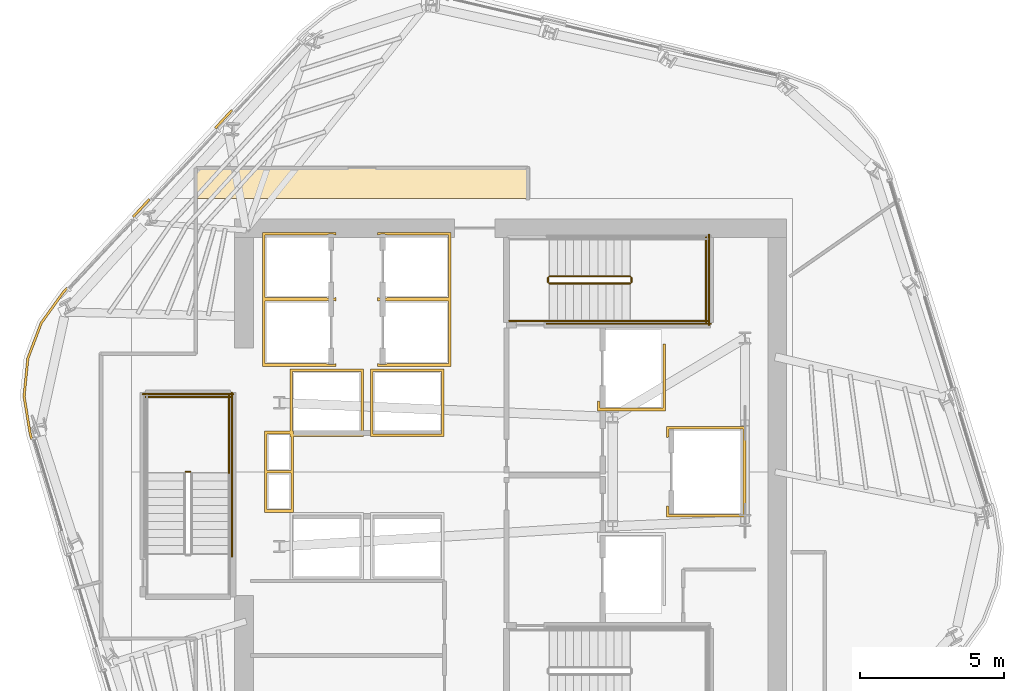
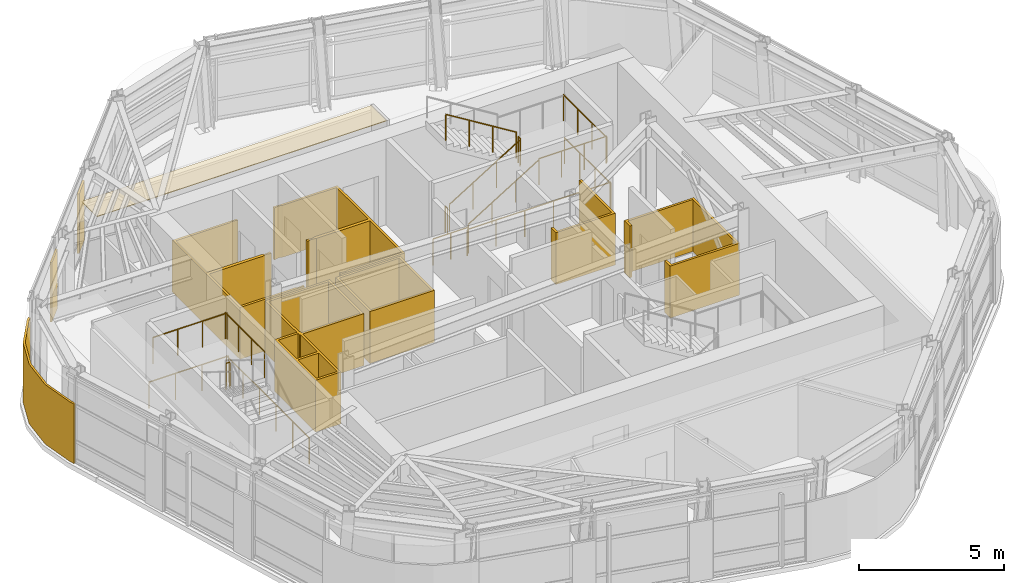
# One storey, part 12 of 13: 15 railings, 10 coverings.
"""IFC4 building model written with IfcOpenShell, lengths in metres."""

from ifc_helpers import new_model, si_unit, direction, frame, origin, origin_2d, place, context, subcontext, project, spatial, polyline, circle, outline, extrude, material, layer, layer_set, type_object, element, save


model = new_model("IFC4")

# Units and contexts
model_context = context("Model", 3, precision=1e-05, world=origin(), true_north=direction((0.0, 1.0)))
body_context = subcontext(model_context, "Body", "Model", "MODEL_VIEW")
ifc_project = project(units=[si_unit("LENGTHUNIT", "METRE"), si_unit("AREAUNIT", "SQUARE_METRE"), si_unit("VOLUMEUNIT", "CUBIC_METRE"), si_unit("PLANEANGLEUNIT", "RADIAN"), si_unit("MASSUNIT", "GRAM", prefix="KILO")], contexts=[model_context])

# Site, building, storey
site_placement = place(None, origin())
site = spatial("IfcSite", under=ifc_project, at=site_placement, CompositionType="ELEMENT")
building_placement = place(site_placement, origin())
building = spatial("IfcBuilding", under=site, at=building_placement, Name="Valkerne Bourse Tower", CompositionType="ELEMENT")
storey_placement = place(building_placement, frame((0.0, 0.0, 224.60009765625)))
storey = spatial("IfcBuildingStorey", under=building, at=storey_placement, Name="L57", CompositionType="ELEMENT", Elevation=224.60009765625)

# Coverings
ifc_material_1 = material(Name="Bronze Anodised Aluminium AA 6063-T6", Category="aluminium")
ifc_layer_1 = layer(ifc_material_1, 0.030029296875)
ifc_layer_set_1 = layer_set([ifc_layer_1], Name="Bronze Anodised Aluminium AA 6063-T6")
covering_type_1 = type_object("IfcCoveringType", Name="COV-CEIL-METAL", PredefinedType="CEILING", material=ifc_layer_set_1)
covering_1_placement = place(storey_placement, frame((0.0, 0.0, 3.25)))
element("IfcCovering", 1, at=covering_1_placement, inside=storey, type_object=covering_type_1, Name="L57 Suspended Ceiling 03", PredefinedType="CEILING", context=body_context, shape_type="SweptSolid", body=[
    extrude(outline(polyline([(35.85400390625, 37.555908203125), (47.39599609375, 37.555908203125), (47.39599609375, 36.5), (35.85400390625, 36.5), (35.85400390625, 37.555908203125)])), origin(), (0.0, 0.0, 1.0), 0.02490234375),
])
ifc_layer_2 = layer(ifc_material_1, 0.06005859375)
ifc_layer_set_2 = layer_set([ifc_layer_2], Name="Bronze Anodised Aluminium AA 6063-T6")
covering_type_2 = type_object("IfcCoveringType", Name="COV-CRN-ALUM", PredefinedType="CLADDING", material=ifc_layer_set_2)
covering_2_placement = place(storey_placement, origin())
element("IfcCovering", 2, at=covering_2_placement, inside=storey, type_object=covering_type_2, Name="L57 Wind-Shaped Corner Aluminium Cladding 10", PredefinedType="CLADDING", context=body_context, shape_type="SweptSolid", body=[
    extrude(outline(polyline([(30.04638671875, 28.30419921875), (29.830078125, 29.624755859375), (29.96240234375, 30.94921875), (30.432861328125, 32.1943359375), (31.213623046875, 33.281005859375), (31.3447265625, 33.422607421875), (31.403076171875, 33.367919921875), (31.275634765625, 33.23046875), (30.50390625, 32.15625), (30.041015625, 30.930908203125), (29.91064453125, 29.627197265625), (30.12451171875, 28.322021484375), (30.177490234375, 28.142333984375), (30.100830078125, 28.119140625), (30.04638671875, 28.30419921875)])), origin(), (0.0, 0.0, 1.0), 2.5),
])
covering_3_placement = place(storey_placement, origin())
element("IfcCovering", 3, at=covering_3_placement, inside=storey, type_object=covering_type_2, Name="L57 Wind-Shaped Corner Aluminium Cladding 11", PredefinedType="CLADDING", context=body_context, shape_type="SweptSolid", body=[
    extrude(outline(polyline([(34.207763671875, 36.511962890625), (34.26611328125, 36.457275390625), (33.695068359375, 35.841064453125), (33.63671875, 35.89599609375), (34.207763671875, 36.511962890625)])), origin(), (0.0, 0.0, 1.0), 2.5),
])
covering_4_placement = place(storey_placement, origin())
element("IfcCovering", 4, at=covering_4_placement, inside=storey, type_object=covering_type_2, Name="L57 Wind-Shaped Corner Aluminium Cladding 12", PredefinedType="CLADDING", context=body_context, shape_type="SweptSolid", body=[
    extrude(outline(polyline([(37.07080078125, 39.6015625), (37.129150390625, 39.546630859375), (36.55810546875, 38.9306640625), (36.499755859375, 38.9853515625), (37.07080078125, 39.6015625)])), origin(), (0.0, 0.0, 1.0), 2.5),
])
ifc_material_2 = material(Name="Gypsum Shaftwall Liner Board", Category="gypsum")
ifc_layer_3 = layer(ifc_material_2, 0.080078125)
ifc_layer_set_3 = layer_set([ifc_layer_3], Name="Gypsum Shaftwall Liner Board")
covering_type_3 = type_object("IfcCoveringType", Name="COV-SHF-CLAD", PredefinedType="CLADDING", material=ifc_layer_set_3)
covering_5_placement = place(storey_placement, origin())
element("IfcCovering", 5, at=covering_5_placement, inside=storey, type_object=covering_type_3, Name="L57 Hoistway & Riser Shaftwall Liner 03", PredefinedType="CLADDING", context=body_context, shape_type="SweptSolid", body=[
    extrude(outline(polyline([(38.239990234375, 28.409912109375), (39.1201171875, 28.409912109375), (39.1201171875, 30.580078125), (41.679931640625, 30.580078125), (41.679931640625, 28.219970703125), (39.239990234375, 28.219970703125), (39.239990234375, 27.0400390625), (39.239990234375, 26.9599609375), (39.239990234375, 25.590087890625), (38.239990234375, 25.590087890625), (38.239990234375, 26.9599609375), (38.239990234375, 27.0400390625), (38.239990234375, 28.409912109375)]), holes=[polyline([(38.330078125, 26.949951171875), (38.330078125, 25.679931640625), (39.14990234375, 25.679931640625), (39.14990234375, 26.949951171875), (38.330078125, 26.949951171875)]), polyline([(39.2099609375, 30.489990234375), (39.2099609375, 28.409912109375), (39.239990234375, 28.409912109375), (39.239990234375, 28.31005859375), (41.590087890625, 28.31005859375), (41.590087890625, 30.489990234375), (39.2099609375, 30.489990234375)]), polyline([(38.330078125, 27.050048828125), (39.14990234375, 27.050048828125), (39.14990234375, 28.219970703125), (39.1201171875, 28.219970703125), (39.1201171875, 28.320068359375), (38.330078125, 28.320068359375), (38.330078125, 27.050048828125)])]), origin(), (0.0, 0.0, 1.0), 2.179931640625),
])
covering_6_placement = place(storey_placement, origin())
element("IfcCovering", 6, at=covering_6_placement, inside=storey, type_object=covering_type_3, Name="L57 Hoistway & Riser Shaftwall Liner 04", PredefinedType="CLADDING", context=body_context, shape_type="SweptSolid", body=[
    extrude(outline(polyline([(38.169921875, 35.330078125), (40.72998046875, 35.330078125), (40.72998046875, 35.232177734375), (40.72216796875, 35.235595703125), (40.6806640625, 35.25048828125), (40.6376953125, 35.261474609375), (40.593994140625, 35.267822265625), (40.550048828125, 35.27001953125), (40.505859375, 35.267822265625), (40.462158203125, 35.261474609375), (40.41943359375, 35.25048828125), (40.3896484375, 35.239990234375), (38.260009765625, 35.239990234375), (38.260009765625, 33.06005859375), (40.3896484375, 33.06005859375), (40.41943359375, 33.04931640625), (40.462158203125, 33.03857421875), (40.505859375, 33.0322265625), (40.550048828125, 33.030029296875), (40.593994140625, 33.0322265625), (40.6376953125, 33.03857421875), (40.6806640625, 33.04931640625), (40.72216796875, 33.064208984375), (40.72998046875, 33.06787109375), (40.72998046875, 33.030029296875), (40.72998046875, 32.969970703125), (40.72998046875, 32.93212890625), (40.72216796875, 32.935791015625), (40.6806640625, 32.95068359375), (40.6376953125, 32.96142578125), (40.593994140625, 32.9677734375), (40.550048828125, 32.969970703125), (40.505859375, 32.9677734375), (40.462158203125, 32.96142578125), (40.41943359375, 32.95068359375), (40.3896484375, 32.93994140625), (38.260009765625, 32.93994140625), (38.260009765625, 30.760009765625), (40.3896484375, 30.760009765625), (40.41943359375, 30.74951171875), (40.462158203125, 30.738525390625), (40.505859375, 30.732177734375), (40.550048828125, 30.72998046875), (40.593994140625, 30.732177734375), (40.6376953125, 30.738525390625), (40.6806640625, 30.74951171875), (40.72216796875, 30.764404296875), (40.72998046875, 30.767822265625), (40.72998046875, 30.669921875), (38.169921875, 30.669921875), (38.169921875, 32.969970703125), (38.169921875, 33.030029296875), (38.169921875, 35.330078125)])), origin(), (0.0, 0.0, 1.0), 2.179931640625),
])
covering_7_placement = place(storey_placement, origin())
element("IfcCovering", 7, at=covering_7_placement, inside=storey, type_object=covering_type_3, Name="L57 Hoistway & Riser Shaftwall Liner 06", PredefinedType="CLADDING", context=body_context, shape_type="SweptSolid", body=[
    extrude(outline(polyline([(54.97998046875, 25.419921875), (52.219970703125, 25.419921875), (52.219970703125, 25.81787109375), (52.227783203125, 25.814208984375), (52.269287109375, 25.79931640625), (52.31005859375, 25.789306640625), (52.31005859375, 25.510009765625), (54.889892578125, 25.510009765625), (54.889892578125, 28.489990234375), (52.31005859375, 28.489990234375), (52.31005859375, 28.210693359375), (52.269287109375, 28.20068359375), (52.227783203125, 28.185791015625), (52.219970703125, 28.18212890625), (52.219970703125, 28.580078125), (54.97998046875, 28.580078125), (54.97998046875, 25.419921875)])), origin(), (0.0, 0.0, 1.0), 2.179931640625),
])
covering_8_placement = place(storey_placement, origin())
element("IfcCovering", 8, at=covering_8_placement, inside=storey, type_object=covering_type_3, Name="L57 Hoistway & Riser Shaftwall Liner 07", PredefinedType="CLADDING", context=body_context, shape_type="SweptSolid", body=[
    extrude(outline(polyline([(44.47998046875, 28.219970703125), (41.919921875, 28.219970703125), (41.919921875, 30.580078125), (44.47998046875, 30.580078125), (44.47998046875, 28.219970703125)]), holes=[polyline([(42.010009765625, 30.489990234375), (42.010009765625, 28.31005859375), (44.389892578125, 28.31005859375), (44.389892578125, 30.489990234375), (42.010009765625, 30.489990234375)])]), origin(), (0.0, 0.0, 1.0), 2.179931640625),
])
covering_9_placement = place(storey_placement, origin())
element("IfcCovering", 9, at=covering_9_placement, inside=storey, type_object=covering_type_3, Name="L57 Hoistway & Riser Shaftwall Liner 08", PredefinedType="CLADDING", context=body_context, shape_type="SweptSolid", body=[
    extrude(outline(polyline([(49.820068359375, 29.1201171875), (49.820068359375, 29.468017578125), (49.827880859375, 29.46435546875), (49.869384765625, 29.449462890625), (49.909912109375, 29.439208984375), (49.909912109375, 29.2099609375), (52.090087890625, 29.2099609375), (52.090087890625, 31.449951171875), (52.179931640625, 31.449951171875), (52.179931640625, 29.1201171875), (49.820068359375, 29.1201171875)])), origin(), (0.0, 0.0, 1.0), 2.179931640625),
])
covering_10_placement = place(storey_placement, origin())
element("IfcCovering", 10, at=covering_10_placement, inside=storey, type_object=covering_type_3, Name="L57 Hoistway & Riser Shaftwall Liner 09", PredefinedType="CLADDING", context=body_context, shape_type="SweptSolid", body=[
    extrude(outline(polyline([(42.169921875, 33.06787109375), (42.177734375, 33.064208984375), (42.219482421875, 33.04931640625), (42.26220703125, 33.03857421875), (42.305908203125, 33.0322265625), (42.35009765625, 33.030029296875), (42.39404296875, 33.0322265625), (42.437744140625, 33.03857421875), (42.480712890625, 33.04931640625), (42.51025390625, 33.06005859375), (44.639892578125, 33.06005859375), (44.639892578125, 35.239990234375), (42.51025390625, 35.239990234375), (42.480712890625, 35.25048828125), (42.437744140625, 35.261474609375), (42.39404296875, 35.267822265625), (42.35009765625, 35.27001953125), (42.305908203125, 35.267822265625), (42.26220703125, 35.261474609375), (42.219482421875, 35.25048828125), (42.177734375, 35.235595703125), (42.169921875, 35.232177734375), (42.169921875, 35.330078125), (44.72998046875, 35.330078125), (44.72998046875, 33.030029296875), (44.72998046875, 32.969970703125), (44.72998046875, 30.669921875), (42.169921875, 30.669921875), (42.169921875, 30.767822265625), (42.177734375, 30.764404296875), (42.219482421875, 30.74951171875), (42.26220703125, 30.738525390625), (42.305908203125, 30.732177734375), (42.35009765625, 30.72998046875), (42.39404296875, 30.732177734375), (42.437744140625, 30.738525390625), (42.480712890625, 30.74951171875), (42.51025390625, 30.760009765625), (44.639892578125, 30.760009765625), (44.639892578125, 32.93994140625), (42.51025390625, 32.93994140625), (42.480712890625, 32.95068359375), (42.437744140625, 32.96142578125), (42.39404296875, 32.9677734375), (42.35009765625, 32.969970703125), (42.305908203125, 32.9677734375), (42.26220703125, 32.96142578125), (42.219482421875, 32.95068359375), (42.177734375, 32.935791015625), (42.169921875, 32.93212890625), (42.169921875, 32.969970703125), (42.169921875, 33.030029296875), (42.169921875, 33.06787109375)])), origin(), (0.0, 0.0, 1.0), 2.179931640625),
])

# Railings
ifc_material_3 = material(Name="Galvanised Painted Steel", Category="steel")
railing_type_1 = type_object("IfcRailingType", Name="RLG-ST-GUARD-1120", PredefinedType="GUARDRAIL", material=ifc_material_3)
railing_1_placement = place(storey_placement, frame((48.14990234375, 33.550048828125, 0.172607421875)))
element("IfcRailing", 11, at=railing_1_placement, inside=storey, type_object=railing_type_1, Name="L57 ST-2 stair guard 1", PredefinedType="GUARDRAIL", context=body_context, shape_type="SweptSolid", body=[
    extrude(circle(Radius=0.02392578125, at=origin_2d()), frame((0.0, 0.0, 1.09619140625), z_axis=(0.851089632645, 0.0, 0.525020415988), x_axis=(0.0, 1.0, 0.0)), (0.0, 0.0, 1.0), 3.2900390625),
    extrude(circle(Radius=0.02099609375, at=origin_2d()), origin(), (0.0, 0.0, 1.0), 1.072021484375),
    extrude(circle(Radius=0.02099609375, at=origin_2d()), frame((0.933349609375, 0.0, 0.57568359375)), (0.0, 0.0, 1.0), 1.072021484375),
    extrude(circle(Radius=0.02099609375, at=origin_2d()), frame((1.86669921875, 0.0, 1.151611328125)), (0.0, 0.0, 1.0), 1.072021484375),
    extrude(circle(Radius=0.02099609375, at=origin_2d()), frame((2.800048828125, 0.0, 1.727294921875)), (0.0, 0.0, 1.0), 1.072021484375),
])
railing_2_placement = place(storey_placement, frame((51.0, 33.60009765625, 1.89990234375)))
element("IfcRailing", 12, at=railing_2_placement, inside=storey, type_object=railing_type_1, Name="L57 ST-2 stair guard 2", PredefinedType="GUARDRAIL", context=body_context, shape_type="SweptSolid", body=[
    extrude(circle(Radius=0.02392578125, at=origin_2d()), frame((0.0, 0.0, 1.09619140625), z_axis=(0.0, 1.0, 0.0), x_axis=(-1.0, 0.0, 0.0)), (0.0, 0.0, 1.0), 0.14990234375),
    extrude(circle(Radius=0.02099609375, at=origin_2d()), origin(), (0.0, 0.0, 1.0), 1.072021484375),
    extrude(circle(Radius=0.02099609375, at=origin_2d()), frame((0.0, 0.14990234375, 0.0)), (0.0, 0.0, 1.0), 1.072021484375),
])
railing_3_placement = place(storey_placement, frame((50.949951171875, 32.25, 1.89990234375)))
element("IfcRailing", 13, at=railing_3_placement, inside=storey, type_object=railing_type_1, Name="L57 ST-2 stair guard 3", PredefinedType="GUARDRAIL", context=body_context, shape_type="SweptSolid", body=[
    extrude(circle(Radius=0.02392578125, at=origin_2d()), frame((0.0, 0.0, 1.09619140625), z_axis=(1.0, 0.0, 0.0), x_axis=(0.0, 1.0, 0.0)), (0.0, 0.0, 1.0), 2.699951171875),
    extrude(circle(Radius=0.02099609375, at=origin_2d()), origin(), (0.0, 0.0, 1.0), 1.072021484375),
    extrude(circle(Radius=0.02099609375, at=origin_2d()), frame((0.89990234375, 0.0, 0.0)), (0.0, 0.0, 1.0), 1.072021484375),
    extrude(circle(Radius=0.02099609375, at=origin_2d()), frame((1.800048828125, 0.0, 0.0)), (0.0, 0.0, 1.0), 1.072021484375),
    extrude(circle(Radius=0.02099609375, at=origin_2d()), frame((2.699951171875, 0.0, 0.0)), (0.0, 0.0, 1.0), 1.072021484375),
])
railing_4_placement = place(storey_placement, frame((53.60009765625, 32.199951171875, 1.89990234375)))
element("IfcRailing", 14, at=railing_4_placement, inside=storey, type_object=railing_type_1, Name="L57 ST-2 stair guard 5", PredefinedType="GUARDRAIL", context=body_context, shape_type="SweptSolid", body=[
    extrude(circle(Radius=0.02392578125, at=origin_2d()), frame((0.0, 0.0, 1.09619140625), z_axis=(0.0, 1.0, 0.0), x_axis=(-1.0, 0.0, 0.0)), (0.0, 0.0, 1.0), 2.949951171875),
    extrude(circle(Radius=0.02099609375, at=origin_2d()), origin(), (0.0, 0.0, 1.0), 1.072021484375),
    extrude(circle(Radius=0.02099609375, at=origin_2d()), frame((0.0, 0.9833984375, 0.0)), (0.0, 0.0, 1.0), 1.072021484375),
    extrude(circle(Radius=0.02099609375, at=origin_2d()), frame((0.0, 1.966552734375, 0.0)), (0.0, 0.0, 1.0), 1.072021484375),
    extrude(circle(Radius=0.02099609375, at=origin_2d()), frame((0.0, 2.949951171875, 0.0)), (0.0, 0.0, 1.0), 1.072021484375),
])
railing_5_placement = place(storey_placement, frame((50.949951171875, 33.800048828125, 2.072509765625)))
element("IfcRailing", 15, at=railing_5_placement, inside=storey, type_object=railing_type_1, Name="L57 ST-2 stair guard 6", PredefinedType="GUARDRAIL", context=body_context, shape_type="SweptSolid", body=[
    extrude(circle(Radius=0.02392578125, at=origin_2d()), frame((0.0, 0.0, 1.09619140625), z_axis=(-0.851089632645, 0.0, 0.525020415988), x_axis=(0.0, -1.0, 0.0)), (0.0, 0.0, 1.0), 3.2900390625),
    extrude(circle(Radius=0.02099609375, at=origin_2d()), origin(), (0.0, 0.0, 1.0), 1.072021484375),
    extrude(circle(Radius=0.02099609375, at=origin_2d()), frame((-0.933349609375, 0.0, 0.57568359375)), (0.0, 0.0, 1.0), 1.072021484375),
    extrude(circle(Radius=0.02099609375, at=origin_2d()), frame((-1.86669921875, 0.0, 1.151611328125)), (0.0, 0.0, 1.0), 1.072021484375),
    extrude(circle(Radius=0.02099609375, at=origin_2d()), frame((-2.800048828125, 0.0, 1.727294921875)), (0.0, 0.0, 1.0), 1.072021484375),
])
railing_6_placement = place(storey_placement, frame((48.10009765625, 33.60009765625, 0.0)))
element("IfcRailing", 16, at=railing_6_placement, inside=storey, type_object=railing_type_1, Name="L57 ST-2 stair guard 7", PredefinedType="GUARDRAIL", context=body_context, shape_type="SweptSolid", body=[
    extrude(circle(Radius=0.02392578125, at=origin_2d()), frame((0.0, 0.0, 1.09619140625), z_axis=(0.0, 1.0, 0.0), x_axis=(-1.0, 0.0, 0.0)), (0.0, 0.0, 1.0), 0.14990234375),
    extrude(circle(Radius=0.02099609375, at=origin_2d()), origin(), (0.0, 0.0, 1.0), 1.072021484375),
    extrude(circle(Radius=0.02099609375, at=origin_2d()), frame((0.0, 0.14990234375, 0.0)), (0.0, 0.0, 1.0), 1.072021484375),
])
railing_7_placement = place(storey_placement, frame((46.75, 32.25, 0.0)))
element("IfcRailing", 17, at=railing_7_placement, inside=storey, type_object=railing_type_1, Name="L57 ST-2 stair guard 8", PredefinedType="GUARDRAIL", context=body_context, shape_type="SweptSolid", body=[
    extrude(circle(Radius=0.02392578125, at=origin_2d()), frame((0.0, 0.0, 1.09619140625), z_axis=(1.0, 0.0, 0.0), x_axis=(0.0, 1.0, 0.0)), (0.0, 0.0, 1.0), 1.39990234375),
    extrude(circle(Radius=0.02099609375, at=origin_2d()), origin(), (0.0, 0.0, 1.0), 1.072021484375),
    extrude(circle(Radius=0.02099609375, at=origin_2d()), frame((0.699951171875, 0.0, 0.0)), (0.0, 0.0, 1.0), 1.072021484375),
    extrude(circle(Radius=0.02099609375, at=origin_2d()), frame((1.39990234375, 0.0, 0.0)), (0.0, 0.0, 1.0), 1.072021484375),
])
railing_8_placement = place(storey_placement, frame((48.050048828125, 32.14990234375, 0.0)))
element("IfcRailing", 18, at=railing_8_placement, inside=storey, type_object=railing_type_1, Name="L57 ST-2 stair guard 10", PredefinedType="GUARDRAIL", context=body_context, shape_type="SweptSolid", body=[
    extrude(circle(Radius=0.02392578125, at=origin_2d()), frame((0.0, 0.0, 1.09619140625), z_axis=(1.0, 0.0, 0.0), x_axis=(0.0, 1.0, 0.0)), (0.0, 0.0, 1.0), 5.699951171875),
    extrude(circle(Radius=0.02099609375, at=origin_2d()), origin(), (0.0, 0.0, 1.0), 1.072021484375),
    extrude(circle(Radius=0.02099609375, at=origin_2d()), frame((1.139892578125, 0.0, 0.0)), (0.0, 0.0, 1.0), 1.072021484375),
    extrude(circle(Radius=0.02099609375, at=origin_2d()), frame((2.280029296875, 0.0, 0.0)), (0.0, 0.0, 1.0), 1.072021484375),
    extrude(circle(Radius=0.02099609375, at=origin_2d()), frame((3.419921875, 0.0, 0.0)), (0.0, 0.0, 1.0), 1.072021484375),
    extrude(circle(Radius=0.02099609375, at=origin_2d()), frame((4.56005859375, 0.0, 0.0)), (0.0, 0.0, 1.0), 1.072021484375),
    extrude(circle(Radius=0.02099609375, at=origin_2d()), frame((5.699951171875, 0.0, 0.0)), (0.0, 0.0, 1.0), 1.072021484375),
])
railing_9_placement = place(storey_placement, frame((53.699951171875, 32.10009765625, 0.0)))
element("IfcRailing", 19, at=railing_9_placement, inside=storey, type_object=railing_type_1, Name="L57 ST-2 stair guard 12", PredefinedType="GUARDRAIL", context=body_context, shape_type="SweptSolid", body=[
    extrude(circle(Radius=0.02392578125, at=origin_2d()), frame((0.0, 0.0, 1.09619140625), z_axis=(0.0, 1.0, 0.0), x_axis=(-1.0, 0.0, 0.0)), (0.0, 0.0, 1.0), 3.14990234375),
    extrude(circle(Radius=0.02099609375, at=origin_2d()), origin(), (0.0, 0.0, 1.0), 1.072021484375),
    extrude(circle(Radius=0.02099609375, at=origin_2d()), frame((0.0, 1.050048828125, 0.0)), (0.0, 0.0, 1.0), 1.072021484375),
    extrude(circle(Radius=0.02099609375, at=origin_2d()), frame((0.0, 2.099853515625, 0.0)), (0.0, 0.0, 1.0), 1.072021484375),
    extrude(circle(Radius=0.02099609375, at=origin_2d()), frame((0.0, 3.14990234375, 0.0)), (0.0, 0.0, 1.0), 1.072021484375),
])
railing_10_placement = place(storey_placement, frame((35.64990234375, 27.0, 1.89990234375)))
element("IfcRailing", 20, at=railing_10_placement, inside=storey, type_object=railing_type_1, Name="L57 ST-3 stair guard 2", PredefinedType="GUARDRAIL", context=body_context, shape_type="SweptSolid", body=[
    extrude(circle(Radius=0.02392578125, at=origin_2d()), frame((0.0, 0.0, 1.09619140625), z_axis=(-1.0, 0.0, 0.0), x_axis=(0.0, -1.0, 0.0)), (0.0, 0.0, 1.0), 0.14990234375),
    extrude(circle(Radius=0.02099609375, at=origin_2d()), origin(), (0.0, 0.0, 1.0), 1.072021484375),
    extrude(circle(Radius=0.02099609375, at=origin_2d()), frame((-0.14990234375, 0.0, 0.0)), (0.0, 0.0, 1.0), 1.072021484375),
])
railing_11_placement = place(storey_placement, frame((37.0, 26.949951171875, 1.89990234375)))
element("IfcRailing", 21, at=railing_11_placement, inside=storey, type_object=railing_type_1, Name="L57 ST-3 stair guard 3", PredefinedType="GUARDRAIL", context=body_context, shape_type="SweptSolid", body=[
    extrude(circle(Radius=0.02392578125, at=origin_2d()), frame((0.0, 0.0, 1.09619140625), z_axis=(0.0, 1.0, 0.0), x_axis=(-1.0, 0.0, 0.0)), (0.0, 0.0, 1.0), 2.699951171875),
    extrude(circle(Radius=0.02099609375, at=origin_2d()), origin(), (0.0, 0.0, 1.0), 1.072021484375),
    extrude(circle(Radius=0.02099609375, at=origin_2d()), frame((0.0, 0.89990234375, 0.0)), (0.0, 0.0, 1.0), 1.072021484375),
    extrude(circle(Radius=0.02099609375, at=origin_2d()), frame((0.0, 1.800048828125, 0.0)), (0.0, 0.0, 1.0), 1.072021484375),
    extrude(circle(Radius=0.02099609375, at=origin_2d()), frame((0.0, 2.699951171875, 0.0)), (0.0, 0.0, 1.0), 1.072021484375),
])
railing_12_placement = place(storey_placement, frame((37.050048828125, 29.60009765625, 1.89990234375)))
element("IfcRailing", 22, at=railing_12_placement, inside=storey, type_object=railing_type_1, Name="L57 ST-3 stair guard 5", PredefinedType="GUARDRAIL", context=body_context, shape_type="SweptSolid", body=[
    extrude(circle(Radius=0.02392578125, at=origin_2d()), frame((0.0, 0.0, 1.09619140625), z_axis=(-1.0, 0.0, 0.0), x_axis=(0.0, -1.0, 0.0)), (0.0, 0.0, 1.0), 2.949951171875),
    extrude(circle(Radius=0.02099609375, at=origin_2d()), origin(), (0.0, 0.0, 1.0), 1.072021484375),
    extrude(circle(Radius=0.02099609375, at=origin_2d()), frame((-0.9833984375, 0.0, 0.0)), (0.0, 0.0, 1.0), 1.072021484375),
    extrude(circle(Radius=0.02099609375, at=origin_2d()), frame((-1.966552734375, 0.0, 0.0)), (0.0, 0.0, 1.0), 1.072021484375),
    extrude(circle(Radius=0.02099609375, at=origin_2d()), frame((-2.949951171875, 0.0, 0.0)), (0.0, 0.0, 1.0), 1.072021484375),
])
railing_13_placement = place(storey_placement, frame((37.10009765625, 24.050048828125, 0.0)))
element("IfcRailing", 23, at=railing_13_placement, inside=storey, type_object=railing_type_1, Name="L57 ST-3 stair guard 10", PredefinedType="GUARDRAIL", context=body_context, shape_type="SweptSolid", body=[
    extrude(circle(Radius=0.02392578125, at=origin_2d()), frame((0.0, 0.0, 1.09619140625), z_axis=(0.0, 1.0, 0.0), x_axis=(-1.0, 0.0, 0.0)), (0.0, 0.0, 1.0), 5.699951171875),
    extrude(circle(Radius=0.02099609375, at=origin_2d()), origin(), (0.0, 0.0, 1.0), 1.072021484375),
    extrude(circle(Radius=0.02099609375, at=origin_2d()), frame((0.0, 1.139892578125, 0.0)), (0.0, 0.0, 1.0), 1.072021484375),
    extrude(circle(Radius=0.02099609375, at=origin_2d()), frame((0.0, 2.280029296875, 0.0)), (0.0, 0.0, 1.0), 1.072021484375),
    extrude(circle(Radius=0.02099609375, at=origin_2d()), frame((0.0, 3.419921875, 0.0)), (0.0, 0.0, 1.0), 1.072021484375),
    extrude(circle(Radius=0.02099609375, at=origin_2d()), frame((0.0, 4.56005859375, 0.0)), (0.0, 0.0, 1.0), 1.072021484375),
    extrude(circle(Radius=0.02099609375, at=origin_2d()), frame((0.0, 5.699951171875, 0.0)), (0.0, 0.0, 1.0), 1.072021484375),
])
railing_14_placement = place(storey_placement, frame((37.14990234375, 29.699951171875, 0.0)))
element("IfcRailing", 24, at=railing_14_placement, inside=storey, type_object=railing_type_1, Name="L57 ST-3 stair guard 12", PredefinedType="GUARDRAIL", context=body_context, shape_type="SweptSolid", body=[
    extrude(circle(Radius=0.02392578125, at=origin_2d()), frame((0.0, 0.0, 1.09619140625), z_axis=(-1.0, 0.0, 0.0), x_axis=(0.0, -1.0, 0.0)), (0.0, 0.0, 1.0), 3.14990234375),
    extrude(circle(Radius=0.02099609375, at=origin_2d()), origin(), (0.0, 0.0, 1.0), 1.072021484375),
    extrude(circle(Radius=0.02099609375, at=origin_2d()), frame((-1.050048828125, 0.0, 0.0)), (0.0, 0.0, 1.0), 1.072021484375),
    extrude(circle(Radius=0.02099609375, at=origin_2d()), frame((-2.099853515625, 0.0, 0.0)), (0.0, 0.0, 1.0), 1.072021484375),
    extrude(circle(Radius=0.02099609375, at=origin_2d()), frame((-3.14990234375, 0.0, 0.0)), (0.0, 0.0, 1.0), 1.072021484375),
])
ifc_material_4 = material(Name="Stainless Steel AISI 316", Category="steel")
railing_type_2 = type_object("IfcRailingType", Name="RLG-ST-HANDRAIL-900", PredefinedType="HANDRAIL", material=ifc_material_4)
railing_15_placement = place(storey_placement, frame((48.14990234375, 32.25, 0.345458984375)))
element("IfcRailing", 25, at=railing_15_placement, inside=storey, type_object=railing_type_2, Name="L57 ST-2 stair handrail 1", PredefinedType="HANDRAIL", context=body_context, shape_type="SweptSolid", body=[
    extrude(circle(Radius=0.02392578125, at=origin_2d()), frame((0.0, 0.0, 0.8759765625), z_axis=(0.851122791225, 0.0, 0.524966660138), x_axis=(0.0, 1.0, 0.0)), (0.0, 0.0, 1.0), 3.289794921875),
    extrude(circle(Radius=0.02099609375, at=origin_2d()), origin(), (0.0, 0.0, 1.0), 0.851806640625),
    extrude(circle(Radius=0.02099609375, at=origin_2d()), frame((0.933349609375, 0.0, 0.57568359375)), (0.0, 0.0, 1.0), 0.851806640625),
    extrude(circle(Radius=0.02099609375, at=origin_2d()), frame((1.86669921875, 0.0, 1.1513671875)), (0.0, 0.0, 1.0), 0.851806640625),
    extrude(circle(Radius=0.02099609375, at=origin_2d()), frame((2.800048828125, 0.0, 1.72705078125)), (0.0, 0.0, 1.0), 0.851806640625),
])

save(model, "model.ifc")
